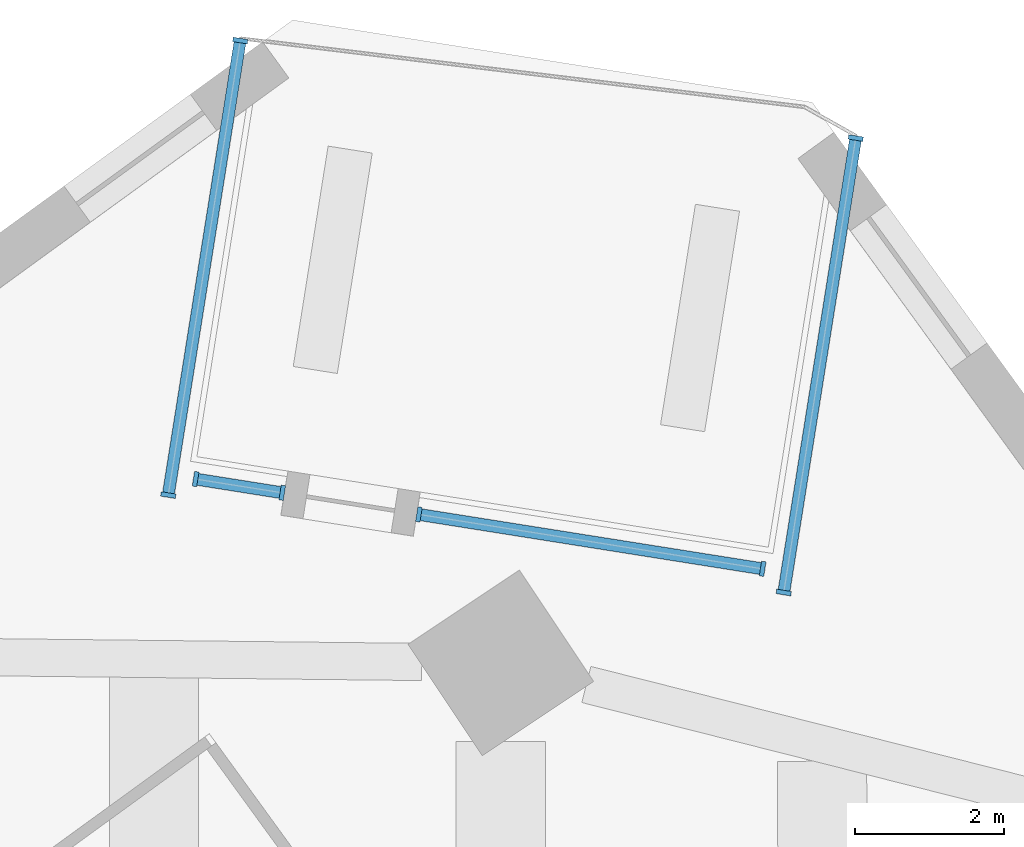
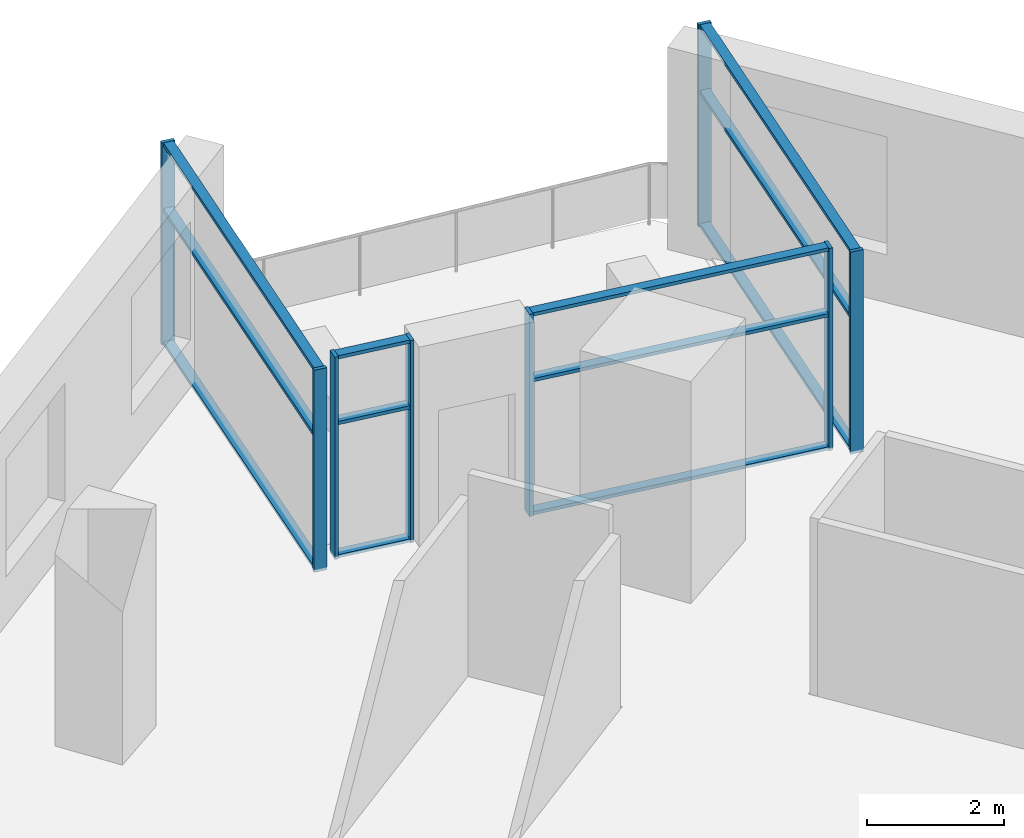
# One storey, part 2 of 11: 20 members, 4 elements without a shape of their own.
"""IFC4 building model written with IfcOpenShell, lengths in metres."""

from ifc_helpers import new_model, si_unit, direction, frame, origin, origin_2d, place, context, subcontext, project, spatial, rectangle, extrude, material, material_profile, profile_set, type_object, element, aggregate, save


model = new_model("IFC4")

# Units and contexts
model_context = context("Model", 3, precision=1e-05, world=origin(), true_north=direction((0.0, 1.0)))
body_context = subcontext(model_context, "Body", "Model", "MODEL_VIEW")
ifc_project = project(units=[si_unit("LENGTHUNIT", "METRE"), si_unit("AREAUNIT", "SQUARE_METRE"), si_unit("VOLUMEUNIT", "CUBIC_METRE"), si_unit("PLANEANGLEUNIT", "RADIAN"), si_unit("MASSUNIT", "GRAM", prefix="KILO")], contexts=[model_context])

# Site, building, storey
site_placement = place(None, origin())
site = spatial("IfcSite", under=ifc_project, at=site_placement, CompositionType="ELEMENT")
building_placement = place(site_placement, origin())
building = spatial("IfcBuilding", under=site, at=building_placement, Name="Dilmun Exchange Tower", CompositionType="ELEMENT")
storey_placement = place(building_placement, frame((0.0, 0.0, 171.699951171875)))
storey = spatial("IfcBuildingStorey", under=building, at=storey_placement, Name="L40", CompositionType="ELEMENT", Elevation=171.699951171875)

# Curtain wall, members
ifc_material_1 = material(Name="Anodised aluminium and clear glass", Category="aluminium")
curtain_wall_type = type_object("IfcCurtainWallType", Name="Garden corner glazing", PredefinedType="NOTDEFINED", material=ifc_material_1)
curtain_wall_1_placement = place(storey_placement, origin())
curtain_wall_1 = element("IfcCurtainWall", 1, at=curtain_wall_1_placement, inside=storey, type_object=curtain_wall_type, Name="Garden corner glazing run GC1.1", PredefinedType="NOTDEFINED")
ifc_material_2 = material(Name="Anodised aluminium", Category="aluminium")
ifc_material_profile_1 = material_profile(ifc_material_2, rectangle(XDim=0.199951171875, YDim=0.06005859375, at=origin_2d()), Name="AL 60x200")
ifc_profile_set_1 = profile_set([ifc_material_profile_1], Name="Anodised aluminium")
member_type_1 = type_object("IfcMemberType", Name="Garden corner glazing mullion 60 x 200", PredefinedType="MULLION", material=ifc_profile_set_1)
member_1_placement = place(storey_placement, frame((12.27734375, 34.465576171875, 0.0), z_axis=(0.0, 0.0, 1.0), x_axis=(0.987687564963, -0.15643936211, 0.0)))
member_1 = element("IfcMember", 2, at=member_1_placement, type_object=member_type_1, Name="GC1.1 mullion 1", PredefinedType="MULLION", context=body_context, shape_type="SweptSolid", body=[
    extrude(rectangle(XDim=0.199951171875, YDim=0.06005859375, at=origin_2d()), origin(), (0.0, 0.0, 1.0), 3.60009765625),
])
member_2_placement = place(storey_placement, frame((11.3095703125, 28.355224609375, 0.0), z_axis=(0.0, 0.0, 1.0), x_axis=(0.987687564963, -0.15643936211, 0.0)))
member_2 = element("IfcMember", 3, at=member_2_placement, type_object=member_type_1, Name="GC1.1 mullion 2", PredefinedType="MULLION", context=body_context, shape_type="SweptSolid", body=[
    extrude(rectangle(XDim=0.199951171875, YDim=0.06005859375, at=origin_2d()), origin(), (0.0, 0.0, 1.0), 3.60009765625),
])

curtain_wall_2_placement = place(storey_placement, origin())
curtain_wall_2 = element("IfcCurtainWall", 4, at=curtain_wall_2_placement, inside=storey, type_object=curtain_wall_type, Name="Garden corner glazing run GC2.1", PredefinedType="NOTDEFINED")
member_3_placement = place(storey_placement, frame((11.02587890625, 28.673583984375, 0.0), z_axis=(0.0, 0.0, 1.0), x_axis=(-0.156420902238, -0.987690488636, 0.0)))
member_3 = element("IfcMember", 5, at=member_3_placement, type_object=member_type_1, Name="GC2.1 mullion 1", PredefinedType="MULLION", context=body_context, shape_type="SweptSolid", body=[
    extrude(rectangle(XDim=0.199951171875, YDim=0.06005859375, at=origin_2d()), origin(), (0.0, 0.0, 1.0), 3.60009765625),
])
member_4_placement = place(storey_placement, frame((6.404541015625, 29.405517578125, 0.0), z_axis=(0.0, 0.0, 1.0), x_axis=(-0.156420902238, -0.987690488636, 0.0)))
member_4 = element("IfcMember", 6, at=member_4_placement, type_object=member_type_1, Name="GC2.1 mullion 2", PredefinedType="MULLION", context=body_context, shape_type="SweptSolid", body=[
    extrude(rectangle(XDim=0.199951171875, YDim=0.06005859375, at=origin_2d()), origin(), (0.0, 0.0, 1.0), 3.60009765625),
])

curtain_wall_3_placement = place(storey_placement, origin())
curtain_wall_3 = element("IfcCurtainWall", 7, at=curtain_wall_3_placement, inside=storey, type_object=curtain_wall_type, Name="Garden corner glazing run GC2.3", PredefinedType="NOTDEFINED")
member_5_placement = place(storey_placement, frame((4.5673828125, 29.6962890625, 0.0), z_axis=(0.0, 0.0, 1.0), x_axis=(-0.156488885164, -0.987679719757, 0.0)))
member_5 = element("IfcMember", 8, at=member_5_placement, type_object=member_type_1, Name="GC2.3 mullion 1", PredefinedType="MULLION", context=body_context, shape_type="SweptSolid", body=[
    extrude(rectangle(XDim=0.199951171875, YDim=0.06005859375, at=origin_2d()), origin(), (0.0, 0.0, 1.0), 3.60009765625),
])
member_6_placement = place(storey_placement, frame((3.40283203125, 29.880859375, 0.0), z_axis=(0.0, 0.0, 1.0), x_axis=(-0.156488885164, -0.987679719757, 0.0)))
member_6 = element("IfcMember", 9, at=member_6_placement, type_object=member_type_1, Name="GC2.3 mullion 2", PredefinedType="MULLION", context=body_context, shape_type="SweptSolid", body=[
    extrude(rectangle(XDim=0.199951171875, YDim=0.06005859375, at=origin_2d()), origin(), (0.0, 0.0, 1.0), 3.60009765625),
])

curtain_wall_4_placement = place(storey_placement, origin())
curtain_wall_4 = element("IfcCurtainWall", 10, at=curtain_wall_4_placement, inside=storey, type_object=curtain_wall_type, Name="Garden corner glazing run GC3.1", PredefinedType="NOTDEFINED")
member_7_placement = place(storey_placement, frame((3.03466796875, 29.665771484375, 0.0), z_axis=(0.0, 0.0, 1.0), x_axis=(-0.987687173161, 0.156441835751, 0.0)))
member_7 = element("IfcMember", 11, at=member_7_placement, type_object=member_type_1, Name="GC3.1 mullion 1", PredefinedType="MULLION", context=body_context, shape_type="SweptSolid", body=[
    extrude(rectangle(XDim=0.199951171875, YDim=0.06005859375, at=origin_2d()), origin(), (0.0, 0.0, 1.0), 3.60009765625),
])
member_8_placement = place(storey_placement, frame((4.00244140625, 35.776123046875, 0.0), z_axis=(0.0, 0.0, 1.0), x_axis=(-0.987687173161, 0.156441835751, 0.0)))
member_8 = element("IfcMember", 12, at=member_8_placement, type_object=member_type_1, Name="GC3.1 mullion 2", PredefinedType="MULLION", context=body_context, shape_type="SweptSolid", body=[
    extrude(rectangle(XDim=0.199951171875, YDim=0.06005859375, at=origin_2d()), origin(), (0.0, 0.0, 1.0), 3.60009765625),
])

# Member
ifc_material_profile_2 = material_profile(ifc_material_2, rectangle(XDim=0.159912109375, YDim=0.06005859375, at=origin_2d()), Name="AL 60x160")
ifc_profile_set_2 = profile_set([ifc_material_profile_2], Name="Anodised aluminium")
member_type_2 = type_object("IfcMemberType", Name="Garden corner glazing transom 60 x 160", PredefinedType="USERDEFINED", material=ifc_profile_set_2)
member_9_placement = place(storey_placement, frame((12.272705078125, 34.435791015625, 0.030029296875), z_axis=(-0.156451633997, -0.987685621147, 0.0), x_axis=(0.987685621147, -0.156451633997, 0.0)))
member_9 = element("IfcMember", 13, at=member_9_placement, type_object=member_type_2, Name="GC1.1 transom 1.1", ObjectType="TRANSOM", PredefinedType="USERDEFINED", context=body_context, shape_type="SweptSolid", body=[
    extrude(rectangle(XDim=0.159912109375, YDim=0.06005859375, at=origin_2d()), origin(), (0.0, 0.0, 1.0), 6.12646484375),
])

member_10_placement = place(storey_placement, frame((12.272705078125, 34.435791015625, 2.400146484375), z_axis=(-0.156451633997, -0.987685621147, 0.0), x_axis=(0.987685621147, -0.156451633997, 0.0)))
member_10 = element("IfcMember", 14, at=member_10_placement, type_object=member_type_2, Name="GC1.1 transom 1.2", ObjectType="TRANSOM", PredefinedType="USERDEFINED", context=body_context, shape_type="SweptSolid", body=[
    extrude(rectangle(XDim=0.159912109375, YDim=0.06005859375, at=origin_2d()), origin(), (0.0, 0.0, 1.0), 6.12646484375),
])

member_11_placement = place(storey_placement, frame((12.272705078125, 34.435791015625, 3.570068359375), z_axis=(-0.156451633997, -0.987685621147, 0.0), x_axis=(0.987685621147, -0.156451633997, 0.0)))
member_11 = element("IfcMember", 15, at=member_11_placement, type_object=member_type_2, Name="GC1.1 transom 1.3", ObjectType="TRANSOM", PredefinedType="USERDEFINED", context=body_context, shape_type="SweptSolid", body=[
    extrude(rectangle(XDim=0.159912109375, YDim=0.06005859375, at=origin_2d()), origin(), (0.0, 0.0, 1.0), 6.12646484375),
])

aggregate(curtain_wall_1, [member_1, member_2, member_9, member_10, member_11])

member_12_placement = place(storey_placement, frame((10.996337890625, 28.67822265625, 0.030029296875), z_axis=(-0.987694301711, 0.156396823394, 0.0), x_axis=(-0.156396823394, -0.987694301711, 0.0)))
member_12 = element("IfcMember", 16, at=member_12_placement, type_object=member_type_2, Name="GC2.1 transom 1.1", ObjectType="TRANSOM", PredefinedType="USERDEFINED", context=body_context, shape_type="SweptSolid", body=[
    extrude(rectangle(XDim=0.159912109375, YDim=0.06005859375, at=origin_2d()), origin(), (0.0, 0.0, 1.0), 4.619140625),
])

member_13_placement = place(storey_placement, frame((10.996337890625, 28.67822265625, 2.400146484375), z_axis=(-0.987694301711, 0.156396823394, 0.0), x_axis=(-0.156396823394, -0.987694301711, 0.0)))
member_13 = element("IfcMember", 17, at=member_13_placement, type_object=member_type_2, Name="GC2.1 transom 1.2", ObjectType="TRANSOM", PredefinedType="USERDEFINED", context=body_context, shape_type="SweptSolid", body=[
    extrude(rectangle(XDim=0.159912109375, YDim=0.06005859375, at=origin_2d()), origin(), (0.0, 0.0, 1.0), 4.619140625),
])

member_14_placement = place(storey_placement, frame((10.996337890625, 28.67822265625, 3.570068359375), z_axis=(-0.987694301711, 0.156396823394, 0.0), x_axis=(-0.156396823394, -0.987694301711, 0.0)))
member_14 = element("IfcMember", 18, at=member_14_placement, type_object=member_type_2, Name="GC2.1 transom 1.3", ObjectType="TRANSOM", PredefinedType="USERDEFINED", context=body_context, shape_type="SweptSolid", body=[
    extrude(rectangle(XDim=0.159912109375, YDim=0.06005859375, at=origin_2d()), origin(), (0.0, 0.0, 1.0), 4.619140625),
])

aggregate(curtain_wall_2, [member_3, member_4, member_12, member_13, member_14])

member_15_placement = place(storey_placement, frame((4.537841796875, 29.701171875, 0.030029296875), z_axis=(-0.987693892397, 0.156399408315, 0.0), x_axis=(-0.156399408315, -0.987693892397, 0.0)))
member_15 = element("IfcMember", 19, at=member_15_placement, type_object=member_type_2, Name="GC2.3 transom 1.1", ObjectType="TRANSOM", PredefinedType="USERDEFINED", context=body_context, shape_type="SweptSolid", body=[
    extrude(rectangle(XDim=0.159912109375, YDim=0.06005859375, at=origin_2d()), origin(), (0.0, 0.0, 1.0), 1.119140625),
])

member_16_placement = place(storey_placement, frame((4.537841796875, 29.701171875, 2.400146484375), z_axis=(-0.987693892397, 0.156399408315, 0.0), x_axis=(-0.156399408315, -0.987693892397, 0.0)))
member_16 = element("IfcMember", 20, at=member_16_placement, type_object=member_type_2, Name="GC2.3 transom 1.2", ObjectType="TRANSOM", PredefinedType="USERDEFINED", context=body_context, shape_type="SweptSolid", body=[
    extrude(rectangle(XDim=0.159912109375, YDim=0.06005859375, at=origin_2d()), origin(), (0.0, 0.0, 1.0), 1.119140625),
])

member_17_placement = place(storey_placement, frame((4.537841796875, 29.701171875, 3.570068359375), z_axis=(-0.987693892397, 0.156399408315, 0.0), x_axis=(-0.156399408315, -0.987693892397, 0.0)))
member_17 = element("IfcMember", 21, at=member_17_placement, type_object=member_type_2, Name="GC2.3 transom 1.3", ObjectType="TRANSOM", PredefinedType="USERDEFINED", context=body_context, shape_type="SweptSolid", body=[
    extrude(rectangle(XDim=0.159912109375, YDim=0.06005859375, at=origin_2d()), origin(), (0.0, 0.0, 1.0), 1.119140625),
])

aggregate(curtain_wall_3, [member_5, member_6, member_15, member_16, member_17])

member_18_placement = place(storey_placement, frame((3.039306640625, 29.695556640625, 0.030029296875), z_axis=(0.15645779208, 0.987684645673, 0.0), x_axis=(-0.987684645673, 0.15645779208, 0.0)))
member_18 = element("IfcMember", 22, at=member_18_placement, type_object=member_type_2, Name="GC3.1 transom 1.1", ObjectType="TRANSOM", PredefinedType="USERDEFINED", context=body_context, shape_type="SweptSolid", body=[
    extrude(rectangle(XDim=0.159912109375, YDim=0.06005859375, at=origin_2d()), origin(), (0.0, 0.0, 1.0), 6.126220703125),
])

member_19_placement = place(storey_placement, frame((3.039306640625, 29.695556640625, 2.400146484375), z_axis=(0.15645779208, 0.987684645673, 0.0), x_axis=(-0.987684645673, 0.15645779208, 0.0)))
member_19 = element("IfcMember", 23, at=member_19_placement, type_object=member_type_2, Name="GC3.1 transom 1.2", ObjectType="TRANSOM", PredefinedType="USERDEFINED", context=body_context, shape_type="SweptSolid", body=[
    extrude(rectangle(XDim=0.159912109375, YDim=0.06005859375, at=origin_2d()), origin(), (0.0, 0.0, 1.0), 6.126220703125),
])

member_20_placement = place(storey_placement, frame((3.039306640625, 29.695556640625, 3.570068359375), z_axis=(0.15645779208, 0.987684645673, 0.0), x_axis=(-0.987684645673, 0.15645779208, 0.0)))
member_20 = element("IfcMember", 24, at=member_20_placement, type_object=member_type_2, Name="GC3.1 transom 1.3", ObjectType="TRANSOM", PredefinedType="USERDEFINED", context=body_context, shape_type="SweptSolid", body=[
    extrude(rectangle(XDim=0.159912109375, YDim=0.06005859375, at=origin_2d()), origin(), (0.0, 0.0, 1.0), 6.126220703125),
])

aggregate(curtain_wall_4, [member_7, member_8, member_18, member_19, member_20])

save(model, "model.ifc")
